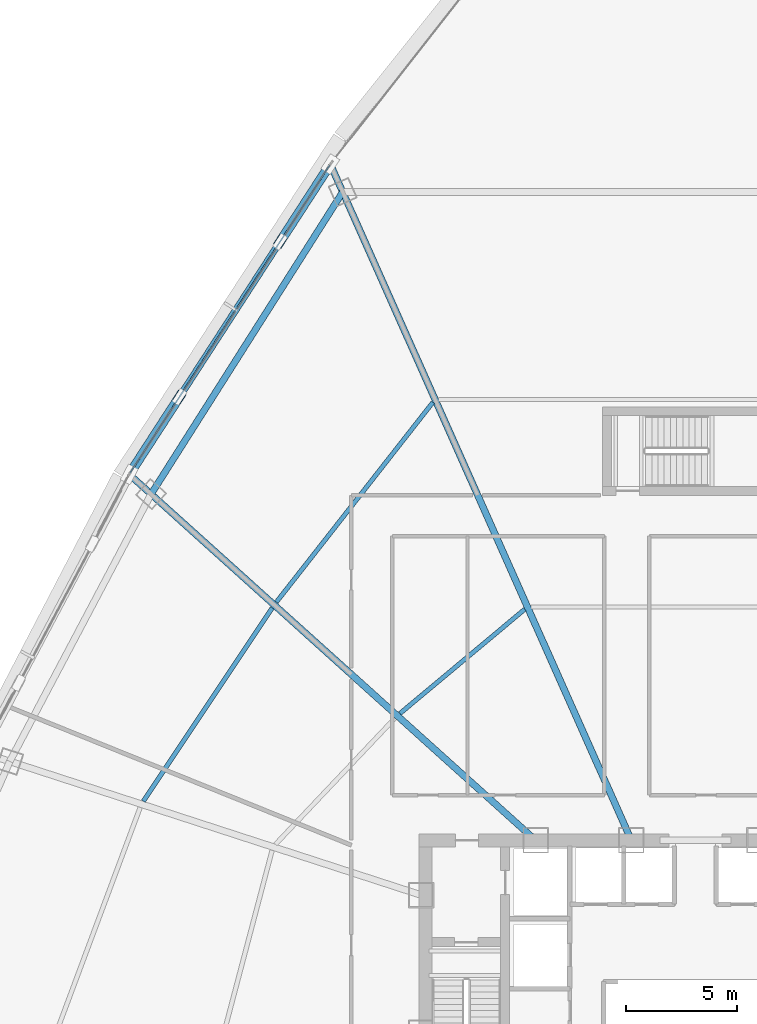
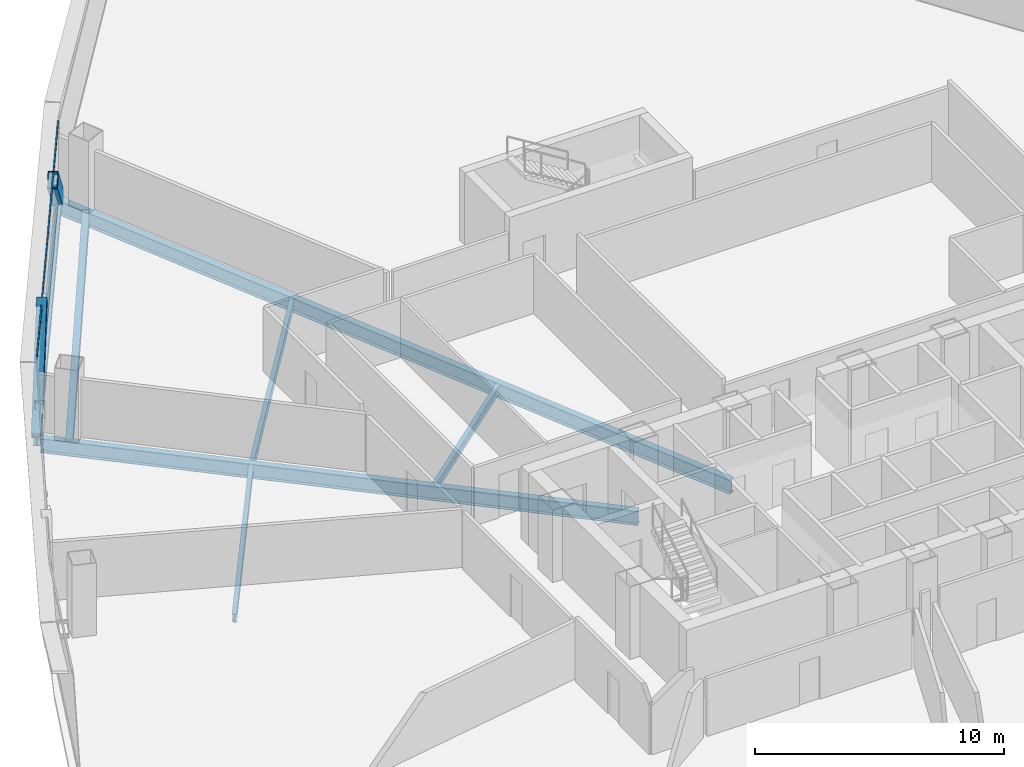
# One storey, part 17 of 41: 7 beams, 4 members, 1 element without a shape of its own.
"""IFC4 building model written with IfcOpenShell, lengths in metres."""

from ifc_helpers import new_model, si_unit, direction, frame, origin, origin_2d, place, context, subcontext, project, spatial, hollow_rectangle, i_section, extrude, source, transform, mapped, material, layer, layer_set, material_profile, profile_set, type_object, element, aggregate, save


model = new_model("IFC4")

# Units and contexts
model_context = context("Model", 3, precision=1e-05, world=origin(), true_north=direction((0.0, 1.0)))
body_context = subcontext(model_context, "Body", "Model", "MODEL_VIEW")
ifc_project = project(units=[si_unit("LENGTHUNIT", "METRE"), si_unit("AREAUNIT", "SQUARE_METRE"), si_unit("VOLUMEUNIT", "CUBIC_METRE"), si_unit("PLANEANGLEUNIT", "RADIAN"), si_unit("MASSUNIT", "GRAM", prefix="KILO"), si_unit("THERMODYNAMICTEMPERATUREUNIT", "KELVIN"), si_unit("POWERUNIT", "WATT")], contexts=[model_context])

# Site, building, storey
site_placement = place(None, origin())
site = spatial("IfcSite", under=ifc_project, at=site_placement, CompositionType="ELEMENT")
building_placement = place(site_placement, origin())
building = spatial("IfcBuilding", under=site, at=building_placement, Name="Yunzhuo Pagoda Commons", CompositionType="ELEMENT")
storey_placement = place(building_placement, frame((0.0, 0.0, 111.580078125)))
storey = spatial("IfcBuildingStorey", under=building, at=storey_placement, Name="L28", CompositionType="ELEMENT", Elevation=111.580078125)

# Beams
ifc_material_1 = material(Name="Structural steel Q355B", Category="steel")
ifc_material_profile_1 = material_profile(ifc_material_1, i_section(OverallWidth=0.300048828125, OverallDepth=0.699951171875, WebThickness=0.012939453125, FlangeThickness=0.02392578125, at=origin_2d()), Name="Structural steel Q355B")
ifc_profile_set_1 = profile_set([ifc_material_profile_1], Name="Structural steel Q355B")
beam_type_1 = type_object("IfcBeamType", Name="B-RG1 Beam HN 700x300x13x24", PredefinedType="BEAM", material=ifc_profile_set_1)
shared_shape_1 = source(origin(), body_context, "Body", "SweptSolid", [
    extrude(i_section(OverallWidth=0.300048828125, OverallDepth=0.699951171875, WebThickness=0.012939453125, FlangeThickness=0.02392578125, at=origin_2d()), origin(), (0.0, 0.0, 1.0), 16.16845703125),
])
beam_1_placement = place(storey_placement, frame((32.05859375, 69.505126953125, -0.610107421875), z_axis=(-0.535695673154, -0.844411123662, 0.0), x_axis=(0.844411123662, -0.535695673154, 0.0)))
element("IfcBeam", 1, at=beam_1_placement, inside=storey, type_object=beam_type_1, Name="L28 column-ring beam 9", PredefinedType="BEAM", context=body_context, shape_type="MappedRepresentation", body=[
    mapped(shared_shape_1, transform((0.0, 0.0, 0.0), scale=1.0)),
])
ifc_material_profile_2 = material_profile(ifc_material_1, i_section(OverallWidth=0.199951171875, OverallDepth=0.39990234375, WebThickness=0.008056640625, FlangeThickness=0.012939453125, at=origin_2d()), Name="Structural steel Q355B")
ifc_profile_set_2 = profile_set([ifc_material_profile_2], Name="Structural steel Q355B")
beam_type_2 = type_object("IfcBeamType", Name="B-JS1 Joist HN 400x200x8x13", PredefinedType="JOIST", material=ifc_profile_set_2)
shared_shape_2 = source(origin(), body_context, "Body", "SweptSolid", [
    extrude(i_section(OverallWidth=0.199951171875, OverallDepth=0.39990234375, WebThickness=0.008056640625, FlangeThickness=0.012939453125, at=origin_2d()), origin(), (0.0, 0.0, 1.0), 10.50537109375),
])
beam_2_placement = place(storey_placement, frame((28.871826171875, 50.711181640625, -0.4599609375), z_axis=(-0.554523204193, -0.832168261839, 0.0), x_axis=(0.832168261839, -0.554523204193, 0.0)))
element("IfcBeam", 2, at=beam_2_placement, inside=storey, type_object=beam_type_2, Name="L28 composite ring joist 2.10", PredefinedType="JOIST", context=body_context, shape_type="MappedRepresentation", body=[
    mapped(shared_shape_2, transform((0.0, 0.0, 0.0), scale=1.0)),
])
shared_shape_3 = source(origin(), body_context, "Body", "SweptSolid", [
    extrude(i_section(OverallWidth=0.199951171875, OverallDepth=0.39990234375, WebThickness=0.008056640625, FlangeThickness=0.012939453125, at=origin_2d()), origin(), (0.0, 0.0, 1.0), 7.35009765625),
])
beam_3_placement = place(storey_placement, frame((40.286865234375, 50.64794921875, -0.4599609375), z_axis=(-0.767561992249, -0.640974717173, 0.0), x_axis=(0.640974717173, -0.767561992249, 0.0)))
element("IfcBeam", 3, at=beam_3_placement, inside=storey, type_object=beam_type_2, Name="L28 composite ring joist 1.9", PredefinedType="JOIST", context=body_context, shape_type="MappedRepresentation", body=[
    mapped(shared_shape_3, transform((0.0, 0.0, 0.0), scale=1.0)),
])
shared_shape_4 = source(origin(), body_context, "Body", "SweptSolid", [
    extrude(i_section(OverallWidth=0.199951171875, OverallDepth=0.39990234375, WebThickness=0.008056640625, FlangeThickness=0.012939453125, at=origin_2d()), origin(), (0.0, 0.0, 1.0), 11.4755859375),
])
beam_4_placement = place(storey_placement, frame((36.135498046875, 60.002197265625, -0.4599609375), z_axis=(-0.616713174055, -0.787187945123, 0.0), x_axis=(0.787187945123, -0.616713174055, 0.0)))
element("IfcBeam", 4, at=beam_4_placement, inside=storey, type_object=beam_type_2, Name="L28 composite ring joist 2.9", PredefinedType="JOIST", context=body_context, shape_type="MappedRepresentation", body=[
    mapped(shared_shape_4, transform((0.0, 0.0, 0.0), scale=1.0)),
])
shared_shape_5 = source(origin(), body_context, "Body", "SweptSolid", [
    extrude(i_section(OverallWidth=0.300048828125, OverallDepth=0.699951171875, WebThickness=0.012939453125, FlangeThickness=0.02392578125, at=origin_2d()), origin(), (0.0, 0.0, 1.0), 24.568359375),
])
beam_5_placement = place(storey_placement, frame((22.523193359375, 56.639404296875, -0.610107421875), z_axis=(0.743143916503, -0.669131615876, 0.0), x_axis=(0.669131615876, 0.743143916503, 0.0)))
element("IfcBeam", 5, at=beam_5_placement, inside=storey, type_object=beam_type_1, Name="L28 radial floor girder F3C2", PredefinedType="BEAM", context=body_context, shape_type="MappedRepresentation", body=[
    mapped(shared_shape_5, transform((0.0, 0.0, 0.0), scale=1.0)),
])
shared_shape_6 = source(origin(), body_context, "Body", "SweptSolid", [
    extrude(i_section(OverallWidth=0.300048828125, OverallDepth=0.699951171875, WebThickness=0.012939453125, FlangeThickness=0.02392578125, at=origin_2d()), origin(), (0.0, 0.0, 1.0), 33.302490234375),
])
beam_6_placement = place(storey_placement, frame((31.560791015625, 70.623291015625, -0.610107421875), z_axis=(0.406732192738, -0.913547439048, 0.0), x_axis=(0.913547439048, 0.406732192738, 0.0)))
element("IfcBeam", 6, at=beam_6_placement, inside=storey, type_object=beam_type_1, Name="L28 radial floor girder F3C1", PredefinedType="BEAM", context=body_context, shape_type="MappedRepresentation", body=[
    mapped(shared_shape_6, transform((0.0, 0.0, 0.0), scale=1.0)),
])
ifc_material_profile_3 = material_profile(ifc_material_1, i_section(OverallWidth=0.300048828125, OverallDepth=0.488037109375, WebThickness=0.010986328125, FlangeThickness=0.01806640625, at=origin_2d()), Name="Structural steel Q355B")
ifc_profile_set_3 = profile_set([ifc_material_profile_3], Name="Structural steel Q355B")
beam_type_3 = type_object("IfcBeamType", Name="B-SP1 Beam HM 488x300x11x18", PredefinedType="BEAM", material=ifc_profile_set_3)
shared_shape_7 = source(origin(), body_context, "Body", "SweptSolid", [
    extrude(i_section(OverallWidth=0.300048828125, OverallDepth=0.488037109375, WebThickness=0.010986328125, FlangeThickness=0.01806640625, at=origin_2d()), origin(), (0.0, 0.0, 1.0), 16.710205078125),
])
beam_7_placement = place(storey_placement, frame((31.497802734375, 70.764892578125, -0.504150390625), z_axis=(-0.543973185702, -0.839102599947, 0.0), x_axis=(0.839102599947, -0.543973185702, 0.0)))
element("IfcBeam", 7, at=beam_7_placement, inside=storey, type_object=beam_type_3, Name="L28 facade edge spandrel beam F3.1", PredefinedType="BEAM", context=body_context, shape_type="MappedRepresentation", body=[
    mapped(shared_shape_7, transform((0.0, 0.0, 0.0), scale=1.0)),
])

# Members
ifc_material_2 = material(Name="Structural steel Q420B", Category="steel")
ifc_material_profile_4 = material_profile(ifc_material_2, hollow_rectangle(XDim=0.419921875, YDim=0.719970703125, WallThickness=0.028076171875, at=origin_2d()), Name="Structural steel Q420B")
ifc_profile_set_4 = profile_set([ifc_material_profile_4], Name="Structural steel Q420B")
member_type_1 = type_object("IfcMemberType", Name="M-DL1 Brace BOX 720x420x28", PredefinedType="BRACE", material=ifc_profile_set_4)
shared_shape_8 = source(origin(), body_context, "Body", "SweptSolid", [
    extrude(hollow_rectangle(XDim=0.419921875, YDim=0.719970703125, WallThickness=0.028076171875, at=origin_2d()), origin(), (0.0, 0.0, 1.0), 5.647216796875),
])
for number, where, z_axis, x_axis, name in (
    (8, (31.497802734375, 70.764892578125, -0.260009765625), (-0.402444302352, -0.620678144685, 0.672902091106), (0.83905862765, -0.544041008901, 0.0), "L28 facade diamond brace F3.1L"),
    (9, (22.407958984375, 56.743408203125, -0.260009765625), (0.402397273405, 0.620715519075, 0.672895741357), (-0.839102599947, 0.543973185702, 0.0), "L28 facade diamond brace F3.1R"),
):
    element("IfcMember", number, at=place(storey_placement, frame(where, z_axis=z_axis, x_axis=x_axis)), inside=storey, type_object=member_type_1, Name=name, PredefinedType="BRACE", context=body_context, shape_type="MappedRepresentation", body=[
        mapped(shared_shape_8, transform((0.0, 0.0, 0.0), scale=1.0)),
    ])

# Curtain wall, members
ifc_material_3 = material(Name="Anodized aluminium 6063-T6", Category="aluminium")
ifc_layer = layer(ifc_material_3, 0.1650390625)
ifc_layer_set = layer_set([ifc_layer], Name="Anodized aluminium 6063-T6")
curtain_wall_type = type_object("IfcCurtainWallType", Name="CW-LOW Low-Zone Ribbon Curtain Wall", PredefinedType="NOTDEFINED", material=ifc_layer_set)
curtain_wall_placement = place(storey_placement, origin())
curtain_wall = element("IfcCurtainWall", 10, at=curtain_wall_placement, inside=storey, type_object=curtain_wall_type, Name="L28 curtain wall CW-L28-F3B2", PredefinedType="NOTDEFINED")
ifc_material_profile_5 = material_profile(ifc_material_3, hollow_rectangle(XDim=0.06005859375, YDim=0.139892578125, WallThickness=0.00341796875, at=origin_2d()), Name="Anodized aluminium 6063-T6")
ifc_profile_set_5 = profile_set([ifc_material_profile_5], Name="Anodized aluminium 6063-T6")
member_type_2 = type_object("IfcMemberType", Name="CW-LOW-T Transom RHS 140x60x3.5", PredefinedType="USERDEFINED", material=ifc_profile_set_5)
shared_shape_9 = source(origin(), body_context, "Body", "SweptSolid", [
    extrude(hollow_rectangle(XDim=0.06005859375, YDim=0.139892578125, WallThickness=0.00341796875, at=origin_2d()), origin(), (0.0, 0.0, 1.0), 16.580322265625),
])
member_1_placement = place(storey_placement, frame((31.46240234375, 70.71044921875, 0.030029296875), z_axis=(-0.543964194314, -0.839108428812, 0.0), x_axis=(0.839108428812, -0.543964194314, 0.0)))
member_1 = element("IfcMember", 11, at=member_1_placement, type_object=member_type_2, Name="CW transom 1.1", ObjectType="TRANSOM", PredefinedType="USERDEFINED", context=body_context, shape_type="MappedRepresentation", body=[
    mapped(shared_shape_9, transform((0.0, 0.0, 0.0), scale=1.0)),
])
member_2_placement = place(storey_placement, frame((31.46240234375, 70.71044921875, 3.510009765625), z_axis=(-0.543964194314, -0.839108428812, 0.0), x_axis=(0.839108428812, -0.543964194314, 0.0)))
member_2 = element("IfcMember", 12, at=member_2_placement, type_object=member_type_2, Name="CW transom 1.2", ObjectType="TRANSOM", PredefinedType="USERDEFINED", context=body_context, shape_type="MappedRepresentation", body=[
    mapped(shared_shape_9, transform((0.0, 0.0, 0.0), scale=1.0)),
])
aggregate(curtain_wall, [member_1, member_2])

save(model, "model.ifc")
